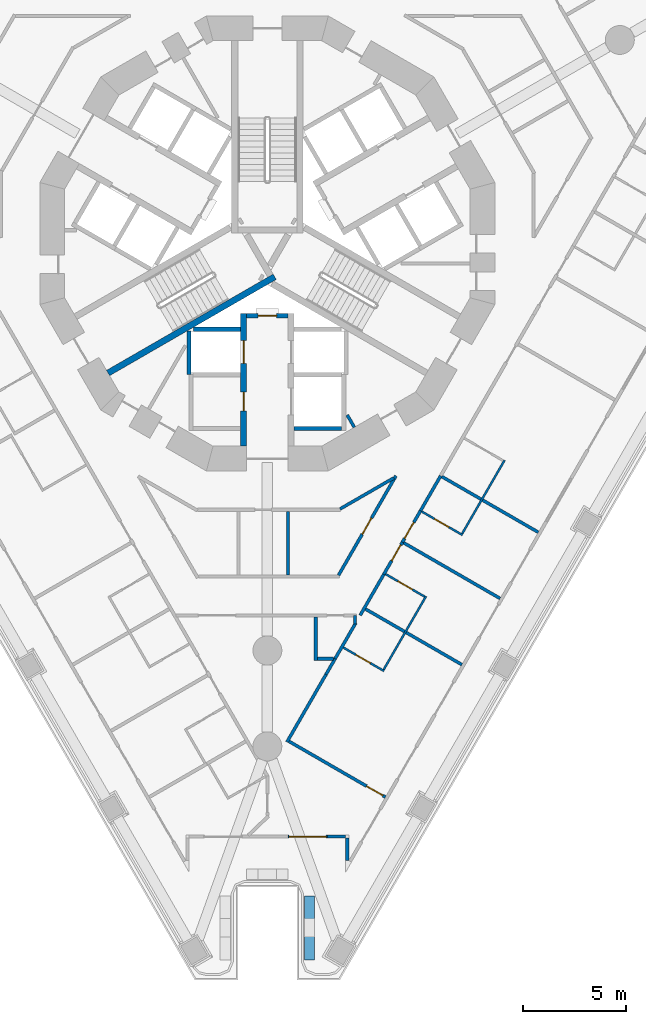
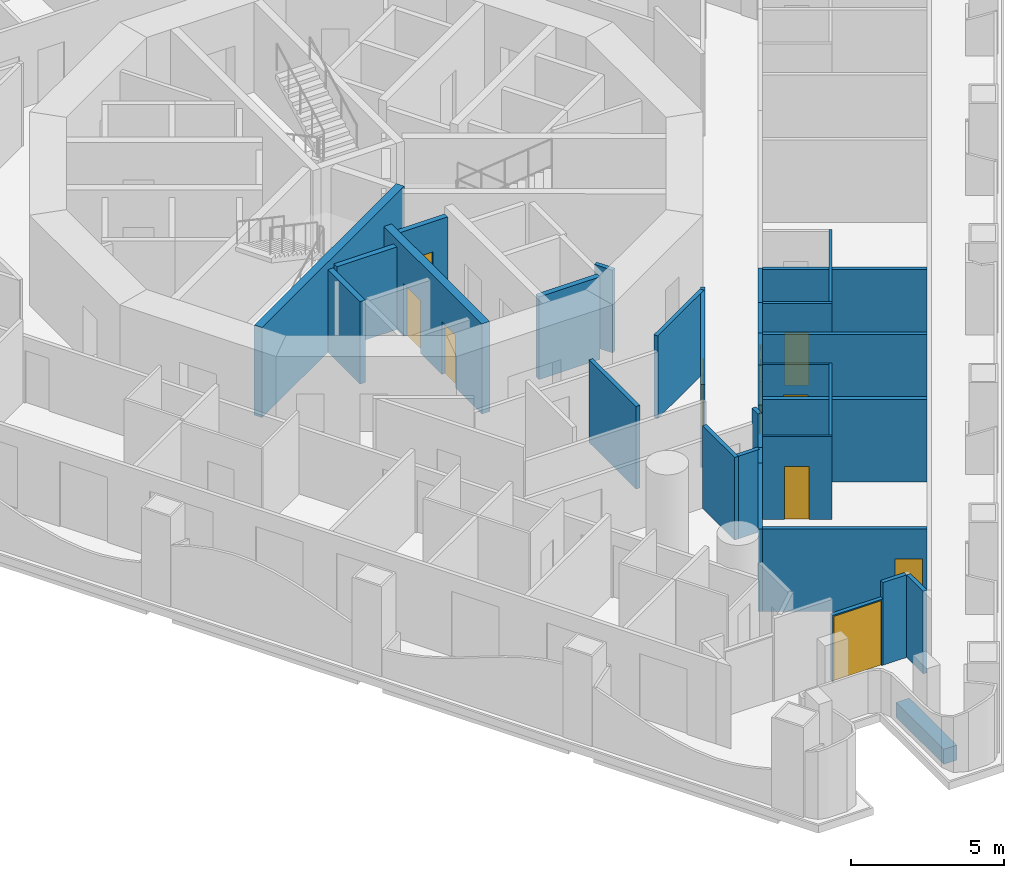
# One storey, part 4 of 20: 33 walls, 11 doors, 11 openings.
"""IFC4 building model written with IfcOpenShell, lengths in metres."""

from ifc_helpers import new_model, si_unit, direction, frame, frame_2d, origin, place, context, subcontext, project, spatial, polyline, rectangle, outline, extrude, material, layer, layer_set, type_object, element, fill, save


model = new_model("IFC4")

# Units and contexts
model_context = context("Model", 3, precision=1e-05, world=origin(), true_north=direction((0.0, 1.0)))
body_context = subcontext(model_context, "Body", "Model", "MODEL_VIEW")
ifc_project = project(units=[si_unit("LENGTHUNIT", "METRE"), si_unit("AREAUNIT", "SQUARE_METRE"), si_unit("VOLUMEUNIT", "CUBIC_METRE"), si_unit("PLANEANGLEUNIT", "RADIAN"), si_unit("MASSUNIT", "GRAM", prefix="KILO")], contexts=[model_context])

# Site, building, storey
site_placement = place(None, origin())
site = spatial("IfcSite", under=ifc_project, at=site_placement, CompositionType="ELEMENT")
building_placement = place(site_placement, origin())
building = spatial("IfcBuilding", under=site, at=building_placement, Name="Trine Commons Tower", CompositionType="ELEMENT")
storey_placement = place(building_placement, frame((0.0, 0.0, 38.699951171875)))
storey = spatial("IfcBuildingStorey", under=building, at=storey_placement, Name="L08", CompositionType="ELEMENT", Elevation=38.699951171875)

# Walls
ifc_material_1 = material(Name="Plasterboard partition on steel studs", Category="steel")
ifc_layer_1 = layer(ifc_material_1, 0.14990234375)
ifc_layer_set_1 = layer_set([ifc_layer_1], Name="Plasterboard partition on steel studs")
wall_type_1 = type_object("IfcWallType", Name="Core room partition 150 mm, EI 60", PredefinedType="PARTITIONING", material=ifc_layer_set_1)
wall_1_placement = place(storey_placement, frame((84.2099609375, 53.60205078125, 0.0), z_axis=(0.0, 0.0, 1.0), x_axis=(-0.500366091518, 0.865813937552, 0.0)))
element("IfcWall", 1, at=wall_1_placement, inside=storey, type_object=wall_type_1, Name="Core room partition L08", PredefinedType="PARTITIONING", context=body_context, shape_type="SweptSolid", body=[
    extrude(rectangle(XDim=0.689453125, YDim=0.14990234375, at=frame_2d((0.3447265625, 0.0))), origin(), (0.0, 0.0, 1.0), 3.300048828125),
])
ifc_material_2 = material(Name="Aluminium-framed insulated wall panel", Category="aluminium")
ifc_layer_2 = layer(ifc_material_2, 0.14990234375)
ifc_layer_set_2 = layer_set([ifc_layer_2], Name="Aluminium-framed insulated wall panel")
wall_type_2 = type_object("IfcWallType", Name="Glazed frame wall 150, EI 60", PredefinedType="SOLIDWALL", material=ifc_layer_set_2)
wall_2_placement = place(storey_placement, frame((83.864990234375, 32.48583984375, 0.0), z_axis=(0.0, 0.0, 1.0), x_axis=(0.0, 1.0, 0.0)))
element("IfcWall", 2, at=wall_2_placement, inside=storey, type_object=wall_type_2, Name="Glazed frame wall R9", PredefinedType="SOLIDWALL", context=body_context, shape_type="SweptSolid", body=[
    extrude(outline(polyline([(0.1494140625, 0.074951171875), (0.1494140625, -0.074951171875), (1.235107421875, -0.074951171875), (1.235107421875, 0.074951171875), (0.1494140625, 0.074951171875)])), origin(), (0.0, 0.0, 1.0), 3.300048828125),
])
wall_3_placement = place(storey_placement, frame((83.89990234375, 33.7958984375, 0.0), z_axis=(0.0, 0.0, 1.0), x_axis=(-1.0, 0.0, 0.0)))
element("IfcWall", 3, at=wall_3_placement, inside=storey, type_object=wall_type_2, Name="Glazed frame wall P3.1", PredefinedType="SOLIDWALL", context=body_context, shape_type="SweptSolid", body=[
    extrude(outline(polyline([(0.110107421875, -0.074951171875), (1.0, -0.074951171875), (1.0, 0.074951171875), (0.110107421875, 0.074951171875), (0.110107421875, -0.074951171875)])), origin(), (0.0, 0.0, 1.0), 3.300048828125),
])

# Wall, opening, door
wall_4_placement = place(storey_placement, frame((82.89990234375, 33.7958984375, 0.0), z_axis=(0.0, 0.0, 1.0), x_axis=(-1.0, 0.0, 0.0)))
wall_4 = element("IfcWall", 4, at=wall_4_placement, inside=storey, type_object=wall_type_2, Name="Glazed frame wall P3.2", PredefinedType="SOLIDWALL", context=body_context, shape_type="SweptSolid", body=[
    extrude(outline(polyline([(0.0, -0.074951171875), (1.89990234375, -0.074951171875), (1.89990234375, 0.074951171875), (0.0, 0.074951171875), (0.0, -0.074951171875)])), origin(), (0.0, 0.0, 1.0), 2.650146484375),
])
opening_1_placement = place(wall_4_placement, frame((0.050048828125, 0.0, 0.0)))
opening_1 = element("IfcOpeningElement", 5, at=opening_1_placement, cuts=wall_4, Name="Opening BD-1P3-01", PredefinedType="OPENING", context=body_context, shape_type="SweptSolid", body=[
    extrude(rectangle(XDim=1.800048828125, YDim=2.60009765625, at=frame_2d((0.89990234375, 1.300048828125))), frame((0.0, 0.0849609375, 0.0), z_axis=(0.0, -1.0, 0.0), x_axis=(1.0, 0.0, 0.0)), (0.0, 0.0, 1.0), 0.169921875),
])
ifc_material_3 = material(Name="Anodised aluminium frame with double glazing", Category="aluminium")
door_type_1 = type_object("IfcDoorType", Name="Sliding loggia door 1800x2600", OperationType="SLIDING_TO_LEFT", PredefinedType="DOOR", material=ifc_material_3)
door_1_placement = place(opening_1_placement, origin())
door_1 = element("IfcDoor", 6, at=door_1_placement, inside=storey, type_object=door_type_1, Name="Loggia door P3 1", OperationType="SLIDING_TO_LEFT", OverallHeight=2.60009765625, OverallWidth=1.800048828125, PredefinedType="DOOR", context=body_context, shape_type="SweptSolid", body=[
    extrude(rectangle(XDim=1.800048828125, YDim=2.60009765625, at=frame_2d((0.89990234375, 1.300048828125))), frame((0.0, 0.02490234375, 0.0), z_axis=(0.0, -1.0, 0.0), x_axis=(1.0, 0.0, 0.0)), (0.0, 0.0, 1.0), 0.050048828125),
])
fill(opening_1, door_1)

ifc_material_4 = material(Name="Fire-rated gypsum shaft wall system")
ifc_layer_3 = layer(ifc_material_4, 0.199951171875)
ifc_layer_set_3 = layer_set([ifc_layer_3], Name="Fire-rated gypsum shaft wall system")
wall_type_3 = type_object("IfcWallType", Name="Lobby end wall 200 mm, EI 120", PredefinedType="PARTITIONING", material=ifc_layer_set_3)
wall_5_placement = place(storey_placement, frame((79.0, 59.0, 0.0), z_axis=(0.0, 0.0, 1.0), x_axis=(1.0, 0.0, 0.0)))
wall_5 = element("IfcWall", 7, at=wall_5_placement, inside=storey, type_object=wall_type_3, Name="Lobby end wall L08", PredefinedType="PARTITIONING", context=body_context, shape_type="SweptSolid", body=[
    extrude(rectangle(XDim=2.0, YDim=0.199951171875, at=frame_2d((1.0, 0.0))), origin(), (0.0, 0.0, 1.0), 3.300048828125),
])
opening_2_placement = place(wall_5_placement, frame((0.550048828125, 0.0, 0.0)))
opening_2 = element("IfcOpeningElement", 8, at=opening_2_placement, cuts=wall_5, Name="Opening K07.09", PredefinedType="OPENING", context=body_context, shape_type="SweptSolid", body=[
    extrude(rectangle(XDim=0.89990234375, YDim=2.10009765625, at=frame_2d((0.449951171875, 1.050048828125))), frame((0.0, 0.10986328125, 0.0), z_axis=(0.0, -1.0, 0.0), x_axis=(1.0, 0.0, 0.0)), (0.0, 0.0, 1.0), 0.219970703125),
])
ifc_material_5 = material(Name="Steel door leaf, fire-rated", Category="steel")
door_type_2 = type_object("IfcDoorType", Name="Riser access door, single leaf 900 x 2100, FD60", OperationType="SINGLE_SWING_LEFT", PredefinedType="DOOR", material=ifc_material_5)
door_2_placement = place(opening_2_placement, frame((0.89990234375, 0.0, 0.0), z_axis=(0.0, 0.0, 1.0), x_axis=(-1.0, 0.0, 0.0)))
door_2 = element("IfcDoor", 9, at=door_2_placement, inside=storey, type_object=door_type_2, Name="Riser door, Communications riser L08", OperationType="SINGLE_SWING_RIGHT", OverallHeight=2.10009765625, OverallWidth=0.89990234375, PredefinedType="DOOR", context=body_context, shape_type="SweptSolid", body=[
    extrude(rectangle(XDim=0.89990234375, YDim=2.10009765625, at=frame_2d((0.449951171875, 1.050048828125))), frame((0.0, 0.02490234375, 0.0), z_axis=(0.0, -1.0, 0.0), x_axis=(1.0, 0.0, 0.0)), (0.0, 0.0, 1.0), 0.050048828125),
])
fill(opening_2, door_2)

# Wall
ifc_material_6 = material(Name="Planter trough, precast concrete C40/50", Category="concrete")
ifc_layer_4 = layer(ifc_material_6, 0.5)
ifc_layer_set_4 = layer_set([ifc_layer_4], Name="Planter trough, precast concrete C40/50")
wall_type_4 = type_object("IfcWallType", Name="Planter trough 500x600", PredefinedType="PARAPET", material=ifc_layer_set_4)
wall_6_placement = place(storey_placement, frame((82.0400390625, 27.830810546875, 0.0), z_axis=(0.0, 0.0, 1.0), x_axis=(0.0, 1.0, 0.0)))
element("IfcWall", 10, at=wall_6_placement, inside=storey, type_object=wall_type_4, Name="Planter 7", PredefinedType="PARAPET", context=body_context, shape_type="SweptSolid", body=[
    extrude(rectangle(XDim=3.10009765625, YDim=0.5, at=frame_2d((1.550048828125, 0.0))), origin(), (0.0, 0.0, 1.0), 0.60009765625),
])

# Wall, openings, doors
ifc_material_7 = material(Name="Concrete C80/95", Category="concrete")
ifc_layer_5 = layer(ifc_material_7, 0.300048828125)
ifc_layer_set_5 = layer_set([ifc_layer_5], Name="Concrete C80/95")
wall_type_5 = type_object("IfcWallType", Name="RC shear wall 300 mm, C80/95", PredefinedType="SHEAR", material=ifc_layer_set_5)
wall_7_placement = place(storey_placement, frame((78.85009765625, 59.10009765625, 0.0), z_axis=(0.0, 0.0, 1.0), x_axis=(0.0, -1.0, 0.0)))
wall_7 = element("IfcWall", 11, at=wall_7_placement, inside=storey, type_object=wall_type_5, Name="Core cross wall SWA-03 L08", PredefinedType="SHEAR", context=body_context, shape_type="SweptSolid", body=[
    extrude(rectangle(XDim=6.412109375, YDim=0.300048828125, at=frame_2d((3.2060546875, 0.0))), origin(), (0.0, 0.0, 1.0), 3.60009765625),
])
opening_3_placement = place(wall_7_placement, frame((3.800048828125, 0.0, 0.0)))
opening_3 = element("IfcOpeningElement", 12, at=opening_3_placement, cuts=wall_7, Name="Opening K07.10", PredefinedType="OPENING", context=body_context, shape_type="SweptSolid", body=[
    extrude(rectangle(XDim=0.89990234375, YDim=2.10009765625, at=frame_2d((0.449951171875, 1.050048828125))), frame((0.0, 0.159912109375, 0.0), z_axis=(0.0, -1.0, 0.0), x_axis=(1.0, 0.0, 0.0)), (0.0, 0.0, 1.0), 0.320068359375),
])
opening_4_placement = place(wall_7_placement, frame((1.300048828125, 0.0, 0.0)))
opening_4 = element("IfcOpeningElement", 13, at=opening_4_placement, cuts=wall_7, Name="Opening LD10", PredefinedType="OPENING", context=body_context, shape_type="SweptSolid", body=[
    extrude(rectangle(XDim=1.10009765625, YDim=2.10009765625, at=frame_2d((0.550048828125, 1.050048828125))), frame((0.0, 0.159912109375, 0.0), z_axis=(0.0, -1.0, 0.0), x_axis=(1.0, 0.0, 0.0)), (0.0, 0.0, 1.0), 0.320068359375),
])
door_type_3 = type_object("IfcDoorType", Name="Core room door, single leaf 900 x 2100, FD30S", OperationType="SINGLE_SWING_LEFT", PredefinedType="DOOR", material=ifc_material_5)
door_3_placement = place(opening_3_placement, frame((0.89990234375, 0.0, 0.0), z_axis=(0.0, 0.0, 1.0), x_axis=(-1.0, 0.0, 0.0)))
door_3 = element("IfcDoor", 14, at=door_3_placement, inside=storey, type_object=door_type_3, Name="Door to Comms room L08", OperationType="SINGLE_SWING_RIGHT", OverallHeight=2.10009765625, OverallWidth=0.89990234375, PredefinedType="DOOR", context=body_context, shape_type="SweptSolid", body=[
    extrude(rectangle(XDim=0.89990234375, YDim=2.10009765625, at=frame_2d((0.449951171875, 1.050048828125))), frame((0.0, 0.02490234375, 0.0), z_axis=(0.0, -1.0, 0.0), x_axis=(1.0, 0.0, 0.0)), (0.0, 0.0, 1.0), 0.050048828125),
])
fill(opening_3, door_3)
ifc_material_8 = material(Name="Stainless steel sliding door leaves", Category="steel")
door_type_4 = type_object("IfcDoorType", Name="Lift landing door, centre-opening sliding 1100 x 2100, FD90", OperationType="DOUBLE_DOOR_SLIDING", PredefinedType="DOOR", material=ifc_material_8)
door_4_placement = place(opening_4_placement, origin())
door_4 = element("IfcDoor", 15, at=door_4_placement, inside=storey, type_object=door_type_4, Name="Lift landing door FF2 L08", OperationType="DOUBLE_DOOR_SLIDING", OverallHeight=2.10009765625, OverallWidth=1.10009765625, PredefinedType="DOOR", context=body_context, shape_type="SweptSolid", body=[
    extrude(rectangle(XDim=1.10009765625, YDim=2.10009765625, at=frame_2d((0.550048828125, 1.050048828125))), frame((0.0, 0.02490234375, 0.0), z_axis=(0.0, -1.0, 0.0), x_axis=(1.0, 0.0, 0.0)), (0.0, 0.0, 1.0), 0.050048828125),
])
fill(opening_4, door_4)

# Walls
wall_8_placement = place(storey_placement, frame((80.35400390625, 60.885986328125, 0.0), z_axis=(0.0, 0.0, 1.0), x_axis=(-0.865986456211, -0.50006745311, 0.0)))
element("IfcWall", 16, at=wall_8_placement, inside=storey, type_object=wall_type_5, Name="Core cross wall SWA-14 L08", PredefinedType="SHEAR", context=body_context, shape_type="SweptSolid", body=[
    extrude(rectangle(XDim=9.310791015625, YDim=0.300048828125, at=frame_2d((4.6552734375, 0.0))), origin(), (0.0, 0.0, 1.0), 3.60009765625),
])
ifc_layer_6 = layer(ifc_material_4, 0.199951171875)
ifc_layer_set_6 = layer_set([ifc_layer_6], Name="Fire-rated gypsum shaft wall system")
wall_type_6 = type_object("IfcWallType", Name="Shaft wall 200 mm, EI 120", PredefinedType="PARTITIONING", material=ifc_layer_set_6)
wall_9_placement = place(storey_placement, frame((76.199951171875, 58.256103515625, 0.0), z_axis=(0.0, 0.0, 1.0), x_axis=(0.0, -1.0, 0.0)))
element("IfcWall", 17, at=wall_9_placement, inside=storey, type_object=wall_type_6, Name="Shaft wall L08", PredefinedType="PARTITIONING", context=body_context, shape_type="SweptSolid", body=[
    extrude(rectangle(XDim=2.106201171875, YDim=0.199951171875, at=frame_2d((1.05322265625, 0.0))), origin(), (0.0, 0.0, 1.0), 3.300048828125),
])
wall_10_placement = place(storey_placement, frame((78.699951171875, 58.35009765625, 0.0), z_axis=(0.0, 0.0, 1.0), x_axis=(-1.0, 0.0, 0.0)))
element("IfcWall", 18, at=wall_10_placement, inside=storey, type_object=wall_type_6, Name="Shaft wall L08", PredefinedType="PARTITIONING", context=body_context, shape_type="SweptSolid", body=[
    extrude(rectangle(XDim=2.264892578125, YDim=0.199951171875, at=frame_2d((1.13232421875, 0.0))), origin(), (0.0, 0.0, 1.0), 3.300048828125),
])
wall_11_placement = place(storey_placement, frame((81.300048828125, 53.550048828125, 0.0), z_axis=(0.0, 0.0, 1.0), x_axis=(1.0, 0.0, 0.0)))
element("IfcWall", 19, at=wall_11_placement, inside=storey, type_object=wall_type_6, Name="Shaft wall L08", PredefinedType="PARTITIONING", context=body_context, shape_type="SweptSolid", body=[
    extrude(rectangle(XDim=2.300048828125, YDim=0.199951171875, at=frame_2d((1.14990234375, 0.0))), origin(), (0.0, 0.0, 1.0), 3.300048828125),
])
ifc_material_9 = material(Name="Gypsum plasterboard on steel stud", Category="steel")
ifc_layer_7 = layer(ifc_material_9, 0.14990234375)
ifc_layer_set_7 = layer_set([ifc_layer_7], Name="Gypsum plasterboard on steel stud")
wall_type_7 = type_object("IfcWallType", Name="Unit and corridor wall 150 mm, EI 60", PredefinedType="PARTITIONING", material=ifc_layer_set_7)
wall_12_placement = place(storey_placement, frame((80.950439453125, 38.3740234375, 0.0), z_axis=(0.0, 0.0, 1.0), x_axis=(0.500125622755, 0.865952863304, 0.0)))
element("IfcWall", 20, at=wall_12_placement, inside=storey, type_object=wall_type_7, Name="Partition 070", PredefinedType="PARTITIONING", context=body_context, shape_type="SweptSolid", body=[
    extrude(rectangle(XDim=3.77392578125, YDim=0.14990234375, at=frame_2d((1.886962890625, 0.0))), origin(), (0.0, 0.0, 1.0), 3.300048828125),
])

# Wall, opening, door
wall_13_placement = place(storey_placement, frame((81.052978515625, 38.401611328125, 0.0), z_axis=(0.0, 0.0, 1.0), x_axis=(0.866038326347, -0.499977616797, 0.0)))
wall_13 = element("IfcWall", 21, at=wall_13_placement, inside=storey, type_object=wall_type_7, Name="Partition 071", PredefinedType="PARTITIONING", context=body_context, shape_type="SweptSolid", body=[
    extrude(rectangle(XDim=5.383544921875, YDim=0.14990234375, at=frame_2d((2.69189453125, 0.0))), origin(), (0.0, 0.0, 1.0), 3.300048828125),
])
opening_5_placement = place(wall_13_placement, frame((4.33349609375, 0.0, 0.0)))
opening_5 = element("IfcOpeningElement", 22, at=opening_5_placement, cuts=wall_13, Name="Opening D-1A23", PredefinedType="OPENING", context=body_context, shape_type="SweptSolid", body=[
    extrude(rectangle(XDim=0.89990234375, YDim=2.10009765625, at=frame_2d((0.449951171875, 1.050048828125))), frame((0.0, 0.0849609375, 0.0), z_axis=(0.0, -1.0, 0.0), x_axis=(1.0, 0.0, 0.0)), (0.0, 0.0, 1.0), 0.169921875),
])
ifc_material_10 = material(Name="Timber fire door set", Category="wood")
door_type_5 = type_object("IfcDoorType", Name="Bedroom door 900 x 2100, FD30S", OperationType="NOTDEFINED", PredefinedType="DOOR", material=ifc_material_10)
door_5_placement = place(opening_5_placement, origin())
door_5 = element("IfcDoor", 23, at=door_5_placement, inside=storey, type_object=door_type_5, Name="Door D-1A23", OperationType="SINGLE_SWING_RIGHT", OverallHeight=2.10009765625, OverallWidth=0.89990234375, PredefinedType="DOOR", context=body_context, shape_type="SweptSolid", body=[
    extrude(rectangle(XDim=0.89990234375, YDim=2.10009765625, at=frame_2d((0.449951171875, 1.050048828125))), frame((0.0, 0.02490234375, 0.0), z_axis=(0.0, -1.0, 0.0), x_axis=(1.0, 0.0, 0.0)), (0.0, 0.0, 1.0), 0.050048828125),
])
fill(opening_5, door_5)

# Walls
wall_14_placement = place(storey_placement, frame((81.0, 46.452880859375, 0.0), z_axis=(0.0, 0.0, 1.0), x_axis=(0.0, 1.0, 0.0)))
element("IfcWall", 24, at=wall_14_placement, inside=storey, type_object=wall_type_7, Name="Partition 072", PredefinedType="PARTITIONING", context=body_context, shape_type="SweptSolid", body=[
    extrude(rectangle(XDim=3.085205078125, YDim=0.14990234375, at=frame_2d((1.54248046875, 0.0))), origin(), (0.0, 0.0, 1.0), 3.300048828125),
])
wall_15_placement = place(storey_placement, frame((82.340087890625, 42.327880859375, 0.0), z_axis=(0.0, 0.0, 1.0), x_axis=(0.0, 1.0, 0.0)))
element("IfcWall", 25, at=wall_15_placement, inside=storey, type_object=wall_type_7, Name="Partition 075", PredefinedType="PARTITIONING", context=body_context, shape_type="SweptSolid", body=[
    extrude(rectangle(XDim=2.10009765625, YDim=0.14990234375, at=frame_2d((1.050048828125, 0.0))), origin(), (0.0, 0.0, 1.0), 3.300048828125),
])
wall_16_placement = place(storey_placement, frame((82.4150390625, 42.403076171875, 0.0), z_axis=(0.0, 0.0, 1.0), x_axis=(1.0, 0.0, 0.0)))
element("IfcWall", 26, at=wall_16_placement, inside=storey, type_object=wall_type_7, Name="Partition 076", PredefinedType="PARTITIONING", context=body_context, shape_type="SweptSolid", body=[
    extrude(rectangle(XDim=0.786865234375, YDim=0.14990234375, at=frame_2d((0.3935546875, 0.0))), origin(), (0.0, 0.0, 1.0), 3.300048828125),
])
wall_17_placement = place(storey_placement, frame((82.837890625, 41.64208984375, 0.0), z_axis=(0.0, 0.0, 1.0), x_axis=(0.499874792173, 0.86609768049, 0.0)))
element("IfcWall", 27, at=wall_17_placement, inside=storey, type_object=wall_type_7, Name="Partition 077", PredefinedType="PARTITIONING", context=body_context, shape_type="SweptSolid", body=[
    extrude(rectangle(XDim=0.878662109375, YDim=0.14990234375, at=frame_2d((0.439453125, 0.0))), origin(), (0.0, 0.0, 1.0), 3.300048828125),
])
wall_18_placement = place(storey_placement, frame((83.277099609375, 42.403076171875, 0.0), z_axis=(0.0, 0.0, 1.0), x_axis=(0.500208453646, 0.865905019561, 0.0)))
element("IfcWall", 28, at=wall_18_placement, inside=storey, type_object=wall_type_7, Name="Partition 078", PredefinedType="PARTITIONING", context=body_context, shape_type="SweptSolid", body=[
    extrude(rectangle(XDim=2.000244140625, YDim=0.14990234375, at=frame_2d((1.0, 0.0))), origin(), (0.0, 0.0, 1.0), 3.300048828125),
])

# Wall, opening, door
wall_19_placement = place(storey_placement, frame((83.444580078125, 46.443115234375, 0.0), z_axis=(0.0, 0.0, 1.0), x_axis=(0.500003847982, 0.86602318214, 0.0)))
wall_19 = element("IfcWall", 29, at=wall_19_placement, inside=storey, type_object=wall_type_7, Name="Partition 079", PredefinedType="PARTITIONING", context=body_context, shape_type="SweptSolid", body=[
    extrude(rectangle(XDim=5.5576171875, YDim=0.14990234375, at=frame_2d((2.77880859375, 0.0))), origin(), (0.0, 0.0, 1.0), 3.300048828125),
])
opening_6_placement = place(wall_19_placement, frame((2.29150390625, 0.0, 0.0)))
opening_6 = element("IfcOpeningElement", 30, at=opening_6_placement, cuts=wall_19, Name="Opening D-1A35", PredefinedType="OPENING", context=body_context, shape_type="SweptSolid", body=[
    extrude(rectangle(XDim=0.89990234375, YDim=2.10009765625, at=frame_2d((0.449951171875, 1.050048828125))), frame((0.0, 0.0849609375, 0.0), z_axis=(0.0, -1.0, 0.0), x_axis=(1.0, 0.0, 0.0)), (0.0, 0.0, 1.0), 0.169921875),
])
door_type_6 = type_object("IfcDoorType", Name="Service door 900 x 2100, FD30S", OperationType="NOTDEFINED", PredefinedType="DOOR", material=ifc_material_10)
door_6_placement = place(opening_6_placement, origin())
door_6 = element("IfcDoor", 31, at=door_6_placement, inside=storey, type_object=door_type_6, Name="Door D-1A35", OperationType="SINGLE_SWING_LEFT", OverallHeight=2.10009765625, OverallWidth=0.89990234375, PredefinedType="DOOR", context=body_context, shape_type="SweptSolid", body=[
    extrude(rectangle(XDim=0.89990234375, YDim=2.10009765625, at=frame_2d((0.449951171875, 1.050048828125))), frame((0.0, 0.02490234375, 0.0), z_axis=(0.0, -1.0, 0.0), x_axis=(1.0, 0.0, 0.0)), (0.0, 0.0, 1.0), 0.050048828125),
])
fill(opening_6, door_6)

# Walls
wall_20_placement = place(storey_placement, frame((83.517822265625, 49.650390625, 0.0), z_axis=(0.0, 0.0, 1.0), x_axis=(0.865962665808, 0.500108649621, 0.0)))
element("IfcWall", 32, at=wall_20_placement, inside=storey, type_object=wall_type_7, Name="Partition 080", PredefinedType="PARTITIONING", context=body_context, shape_type="SweptSolid", body=[
    extrude(rectangle(XDim=3.009521484375, YDim=0.14990234375, at=frame_2d((1.5048828125, 0.0))), origin(), (0.0, 0.0, 1.0), 3.300048828125),
])
wall_21_placement = place(storey_placement, frame((84.239990234375, 44.08642578125, 0.0), z_axis=(0.0, 0.0, 1.0), x_axis=(0.0, 1.0, 0.0)))
element("IfcWall", 33, at=wall_21_placement, inside=storey, type_object=wall_type_7, Name="Partition 083", PredefinedType="PARTITIONING", context=body_context, shape_type="SweptSolid", body=[
    extrude(rectangle(XDim=0.400146484375, YDim=0.14990234375, at=frame_2d((0.2001953125, 0.0))), origin(), (0.0, 0.0, 1.0), 3.300048828125),
])
wall_22_placement = place(storey_placement, frame((84.489990234375, 44.5029296875, 0.0), z_axis=(0.0, 0.0, 1.0), x_axis=(0.499884423167, 0.866092121818, 0.0)))
element("IfcWall", 34, at=wall_22_placement, inside=storey, type_object=wall_type_7, Name="Partition 084", PredefinedType="PARTITIONING", context=body_context, shape_type="SweptSolid", body=[
    extrude(rectangle(XDim=2.3486328125, YDim=0.14990234375, at=frame_2d((1.17431640625, 0.0))), origin(), (0.0, 0.0, 1.0), 3.300048828125),
])
wall_23_placement = place(storey_placement, frame((84.751953125, 44.8076171875, 0.0), z_axis=(0.0, 0.0, 1.0), x_axis=(0.866038326347, -0.499977616797, 0.0)))
element("IfcWall", 35, at=wall_23_placement, inside=storey, type_object=wall_type_7, Name="Partition 085", PredefinedType="PARTITIONING", context=body_context, shape_type="SweptSolid", body=[
    extrude(rectangle(XDim=5.383544921875, YDim=0.14990234375, at=frame_2d((2.69189453125, 0.0))), origin(), (0.0, 0.0, 1.0), 3.300048828125),
])

# Wall, opening, door
wall_24_placement = place(storey_placement, frame((85.635986328125, 46.48779296875, 0.0), z_axis=(0.0, 0.0, 1.0), x_axis=(0.4999359155, 0.866062399826, 0.0)))
wall_24 = element("IfcWall", 36, at=wall_24_placement, inside=storey, type_object=wall_type_7, Name="Partition 088", PredefinedType="PARTITIONING", context=body_context, shape_type="SweptSolid", body=[
    extrude(rectangle(XDim=1.881103515625, YDim=0.14990234375, at=frame_2d((0.9404296875, 0.0))), origin(), (0.0, 0.0, 1.0), 3.300048828125),
])
opening_7_placement = place(wall_24_placement, frame((0.752685546875, 0.0, 0.0)))
opening_7 = element("IfcOpeningElement", 37, at=opening_7_placement, cuts=wall_24, Name="Opening D-1A22", PredefinedType="OPENING", context=body_context, shape_type="SweptSolid", body=[
    extrude(rectangle(XDim=0.89990234375, YDim=2.10009765625, at=frame_2d((0.449951171875, 1.050048828125))), frame((0.0, 0.0849609375, 0.0), z_axis=(0.0, -1.0, 0.0), x_axis=(1.0, 0.0, 0.0)), (0.0, 0.0, 1.0), 0.169921875),
])
door_7_placement = place(opening_7_placement, frame((0.89990234375, 0.0, 0.0), z_axis=(0.0, 0.0, 1.0), x_axis=(-1.0, 0.0, 0.0)))
door_7 = element("IfcDoor", 38, at=door_7_placement, inside=storey, type_object=door_type_5, Name="Door D-1A22", OperationType="SINGLE_SWING_LEFT", OverallHeight=2.10009765625, OverallWidth=0.89990234375, PredefinedType="DOOR", context=body_context, shape_type="SweptSolid", body=[
    extrude(rectangle(XDim=0.89990234375, YDim=2.10009765625, at=frame_2d((0.449951171875, 1.050048828125))), frame((0.0, 0.02490234375, 0.0), z_axis=(0.0, -1.0, 0.0), x_axis=(1.0, 0.0, 0.0)), (0.0, 0.0, 1.0), 0.050048828125),
])
fill(opening_7, door_7)

wall_25_placement = place(storey_placement, frame((86.534912109375, 48.0458984375, 0.0), z_axis=(0.0, 0.0, 1.0), x_axis=(0.500252110048, 0.865879799044, 0.0)))
wall_25 = element("IfcWall", 39, at=wall_25_placement, inside=storey, type_object=wall_type_7, Name="Partition 090", PredefinedType="PARTITIONING", context=body_context, shape_type="SweptSolid", body=[
    extrude(rectangle(XDim=1.75537109375, YDim=0.14990234375, at=frame_2d((0.877685546875, 0.0))), origin(), (0.0, 0.0, 1.0), 3.300048828125),
])
opening_8_placement = place(wall_25_placement, frame((0.20849609375, 0.0, 0.0)))
opening_8 = element("IfcOpeningElement", 40, at=opening_8_placement, cuts=wall_25, Name="Opening D-1A21", PredefinedType="OPENING", context=body_context, shape_type="SweptSolid", body=[
    extrude(rectangle(XDim=0.89990234375, YDim=2.10009765625, at=frame_2d((0.449951171875, 1.050048828125))), frame((0.0, 0.0849609375, 0.0), z_axis=(0.0, -1.0, 0.0), x_axis=(1.0, 0.0, 0.0)), (0.0, 0.0, 1.0), 0.169921875),
])
door_8_placement = place(opening_8_placement, frame((0.89990234375, 0.0, 0.0), z_axis=(0.0, 0.0, 1.0), x_axis=(-1.0, 0.0, 0.0)))
door_8 = element("IfcDoor", 41, at=door_8_placement, inside=storey, type_object=door_type_5, Name="Door D-1A21", OperationType="SINGLE_SWING_RIGHT", OverallHeight=2.10009765625, OverallWidth=0.89990234375, PredefinedType="DOOR", context=body_context, shape_type="SweptSolid", body=[
    extrude(rectangle(XDim=0.89990234375, YDim=2.10009765625, at=frame_2d((0.449951171875, 1.050048828125))), frame((0.0, 0.02490234375, 0.0), z_axis=(0.0, -1.0, 0.0), x_axis=(1.0, 0.0, 0.0)), (0.0, 0.0, 1.0), 0.050048828125),
])
fill(opening_8, door_8)

# Walls
wall_26_placement = place(storey_placement, frame((86.60205078125, 48.011474609375, 0.0), z_axis=(0.0, 0.0, 1.0), x_axis=(0.866012611495, -0.500022156241, 0.0)))
element("IfcWall", 42, at=wall_26_placement, inside=storey, type_object=wall_type_7, Name="Partition 091", PredefinedType="PARTITIONING", context=body_context, shape_type="SweptSolid", body=[
    extrude(rectangle(XDim=5.382568359375, YDim=0.14990234375, at=frame_2d((2.69140625, 0.0))), origin(), (0.0, 0.0, 1.0), 3.300048828125),
])
wall_27_placement = place(storey_placement, frame((87.385009765625, 49.5166015625, 0.0), z_axis=(0.0, 0.0, 1.0), x_axis=(0.499750537383, 0.866169383196, 0.0)))
element("IfcWall", 43, at=wall_27_placement, inside=storey, type_object=wall_type_7, Name="Partition 094", PredefinedType="PARTITIONING", context=body_context, shape_type="SweptSolid", body=[
    extrude(rectangle(XDim=2.0068359375, YDim=0.14990234375, at=frame_2d((1.00341796875, 0.0))), origin(), (0.0, 0.0, 1.0), 3.300048828125),
])
wall_28_placement = place(storey_placement, frame((88.450927734375, 51.214599609375, 0.0), z_axis=(0.0, 0.0, 1.0), x_axis=(0.865992970276, -0.500056172277, 0.0)))
element("IfcWall", 44, at=wall_28_placement, inside=storey, type_object=wall_type_7, Name="Partition 097", PredefinedType="PARTITIONING", context=body_context, shape_type="SweptSolid", body=[
    extrude(rectangle(XDim=5.3828125, YDim=0.14990234375, at=frame_2d((2.69140625, 0.0))), origin(), (0.0, 0.0, 1.0), 3.300048828125),
])

# Wall, opening, door
ifc_layer_8 = layer(ifc_material_9, 0.10009765625)
ifc_layer_set_8 = layer_set([ifc_layer_8], Name="Gypsum plasterboard on steel stud")
wall_type_8 = type_object("IfcWallType", Name="Unit partition 100 mm, no rating", PredefinedType="PARTITIONING", material=ifc_layer_set_8)
wall_29_placement = place(storey_placement, frame((83.677001953125, 42.945556640625, 0.0), z_axis=(0.0, 0.0, 1.0), x_axis=(0.866035472144, -0.499982560684, 0.0)))
wall_29 = element("IfcWall", 45, at=wall_29_placement, inside=storey, type_object=wall_type_8, Name="Partition 081", PredefinedType="PARTITIONING", context=body_context, shape_type="SweptSolid", body=[
    extrude(rectangle(XDim=2.27490234375, YDim=0.10009765625, at=frame_2d((1.137451171875, 0.0))), origin(), (0.0, 0.0, 1.0), 3.300048828125),
])
opening_9_placement = place(wall_29_placement, frame((0.712646484375, 0.0, 0.0)))
opening_9 = element("IfcOpeningElement", 46, at=opening_9_placement, cuts=wall_29, Name="Opening D-1A55", PredefinedType="OPENING", context=body_context, shape_type="SweptSolid", body=[
    extrude(rectangle(XDim=0.800048828125, YDim=2.10009765625, at=frame_2d((0.39990234375, 1.050048828125))), frame((0.0, 0.06005859375, 0.0), z_axis=(0.0, -1.0, 0.0), x_axis=(1.0, 0.0, 0.0)), (0.0, 0.0, 1.0), 0.1201171875),
])
ifc_material_11 = material(Name="Painted timber", Category="wood")
door_type_7 = type_object("IfcDoorType", Name="Internal door 800 x 2100, NOT RATED", OperationType="NOTDEFINED", PredefinedType="DOOR", material=ifc_material_11)
door_9_placement = place(opening_9_placement, frame((0.800048828125, 0.0, 0.0), z_axis=(0.0, 0.0, 1.0), x_axis=(-1.0, 0.0, 0.0)))
door_9 = element("IfcDoor", 47, at=door_9_placement, inside=storey, type_object=door_type_7, Name="Door D-1A55", OperationType="SINGLE_SWING_RIGHT", OverallHeight=2.10009765625, OverallWidth=0.800048828125, PredefinedType="DOOR", context=body_context, shape_type="SweptSolid", body=[
    extrude(rectangle(XDim=0.800048828125, YDim=2.10009765625, at=frame_2d((0.39990234375, 1.050048828125))), frame((0.0, 0.02490234375, 0.0), z_axis=(0.0, -1.0, 0.0), x_axis=(1.0, 0.0, 0.0)), (0.0, 0.0, 1.0), 0.050048828125),
])
fill(opening_9, door_9)

# Wall
wall_30_placement = place(storey_placement, frame((85.62890625, 41.876220703125, 0.0), z_axis=(0.0, 0.0, 1.0), x_axis=(0.499975007054, 0.866039832988, 0.0)))
element("IfcWall", 48, at=wall_30_placement, inside=storey, type_object=wall_type_8, Name="Partition 087", PredefinedType="PARTITIONING", context=body_context, shape_type="SweptSolid", body=[
    extrude(rectangle(XDim=4.100341796875, YDim=0.10009765625, at=frame_2d((2.05029296875, 0.0))), origin(), (0.0, 0.0, 1.0), 3.300048828125),
])

# Wall, opening, door
wall_31_placement = place(storey_placement, frame((85.72705078125, 46.49658203125, 0.0), z_axis=(0.0, 0.0, 1.0), x_axis=(0.865989304205, -0.500062521093, 0.0)))
wall_31 = element("IfcWall", 49, at=wall_31_placement, inside=storey, type_object=wall_type_8, Name="Partition 089", PredefinedType="PARTITIONING", context=body_context, shape_type="SweptSolid", body=[
    extrude(rectangle(XDim=2.175048828125, YDim=0.10009765625, at=frame_2d((1.08740234375, 0.0))), origin(), (0.0, 0.0, 1.0), 3.300048828125),
])
opening_10_placement = place(wall_31_placement, frame((0.6875, 0.0, 0.0)))
opening_10 = element("IfcOpeningElement", 50, at=opening_10_placement, cuts=wall_31, Name="Opening D-1A54", PredefinedType="OPENING", context=body_context, shape_type="SweptSolid", body=[
    extrude(rectangle(XDim=0.800048828125, YDim=2.10009765625, at=frame_2d((0.39990234375, 1.050048828125))), frame((0.0, 0.06005859375, 0.0), z_axis=(0.0, -1.0, 0.0), x_axis=(1.0, 0.0, 0.0)), (0.0, 0.0, 1.0), 0.1201171875),
])
door_10_placement = place(opening_10_placement, origin())
door_10 = element("IfcDoor", 51, at=door_10_placement, inside=storey, type_object=door_type_7, Name="Door D-1A54", OperationType="SINGLE_SWING_LEFT", OverallHeight=2.10009765625, OverallWidth=0.800048828125, PredefinedType="DOOR", context=body_context, shape_type="SweptSolid", body=[
    extrude(rectangle(XDim=0.800048828125, YDim=2.10009765625, at=frame_2d((0.39990234375, 1.050048828125))), frame((0.0, 0.02490234375, 0.0), z_axis=(0.0, -1.0, 0.0), x_axis=(1.0, 0.0, 0.0)), (0.0, 0.0, 1.0), 0.050048828125),
])
fill(opening_10, door_10)

wall_32_placement = place(storey_placement, frame((87.47607421875, 49.525390625, 0.0), z_axis=(0.0, 0.0, 1.0), x_axis=(0.866035472144, -0.499982560684, 0.0)))
wall_32 = element("IfcWall", 52, at=wall_32_placement, inside=storey, type_object=wall_type_8, Name="Partition 095", PredefinedType="PARTITIONING", context=body_context, shape_type="SweptSolid", body=[
    extrude(rectangle(XDim=2.27490234375, YDim=0.10009765625, at=frame_2d((1.137451171875, 0.0))), origin(), (0.0, 0.0, 1.0), 3.300048828125),
])
opening_11_placement = place(wall_32_placement, frame((0.712646484375, 0.0, 0.0)))
opening_11 = element("IfcOpeningElement", 53, at=opening_11_placement, cuts=wall_32, Name="Opening D-1A53", PredefinedType="OPENING", context=body_context, shape_type="SweptSolid", body=[
    extrude(rectangle(XDim=0.800048828125, YDim=2.10009765625, at=frame_2d((0.39990234375, 1.050048828125))), frame((0.0, 0.06005859375, 0.0), z_axis=(0.0, -1.0, 0.0), x_axis=(1.0, 0.0, 0.0)), (0.0, 0.0, 1.0), 0.1201171875),
])
door_11_placement = place(opening_11_placement, frame((0.800048828125, 0.0, 0.0), z_axis=(0.0, 0.0, 1.0), x_axis=(-1.0, 0.0, 0.0)))
door_11 = element("IfcDoor", 54, at=door_11_placement, inside=storey, type_object=door_type_7, Name="Door D-1A53", OperationType="SINGLE_SWING_RIGHT", OverallHeight=2.10009765625, OverallWidth=0.800048828125, PredefinedType="DOOR", context=body_context, shape_type="SweptSolid", body=[
    extrude(rectangle(XDim=0.800048828125, YDim=2.10009765625, at=frame_2d((0.39990234375, 1.050048828125))), frame((0.0, 0.02490234375, 0.0), z_axis=(0.0, -1.0, 0.0), x_axis=(1.0, 0.0, 0.0)), (0.0, 0.0, 1.0), 0.050048828125),
])
fill(opening_11, door_11)

# Wall
wall_33_placement = place(storey_placement, frame((89.427978515625, 48.456298828125, 0.0), z_axis=(0.0, 0.0, 1.0), x_axis=(0.499975007054, 0.866039832988, 0.0)))
element("IfcWall", 55, at=wall_33_placement, inside=storey, type_object=wall_type_8, Name="Partition 098", PredefinedType="PARTITIONING", context=body_context, shape_type="SweptSolid", body=[
    extrude(rectangle(XDim=4.100341796875, YDim=0.10009765625, at=frame_2d((2.05029296875, 0.0))), origin(), (0.0, 0.0, 1.0), 3.300048828125),
])

save(model, "model.ifc")
